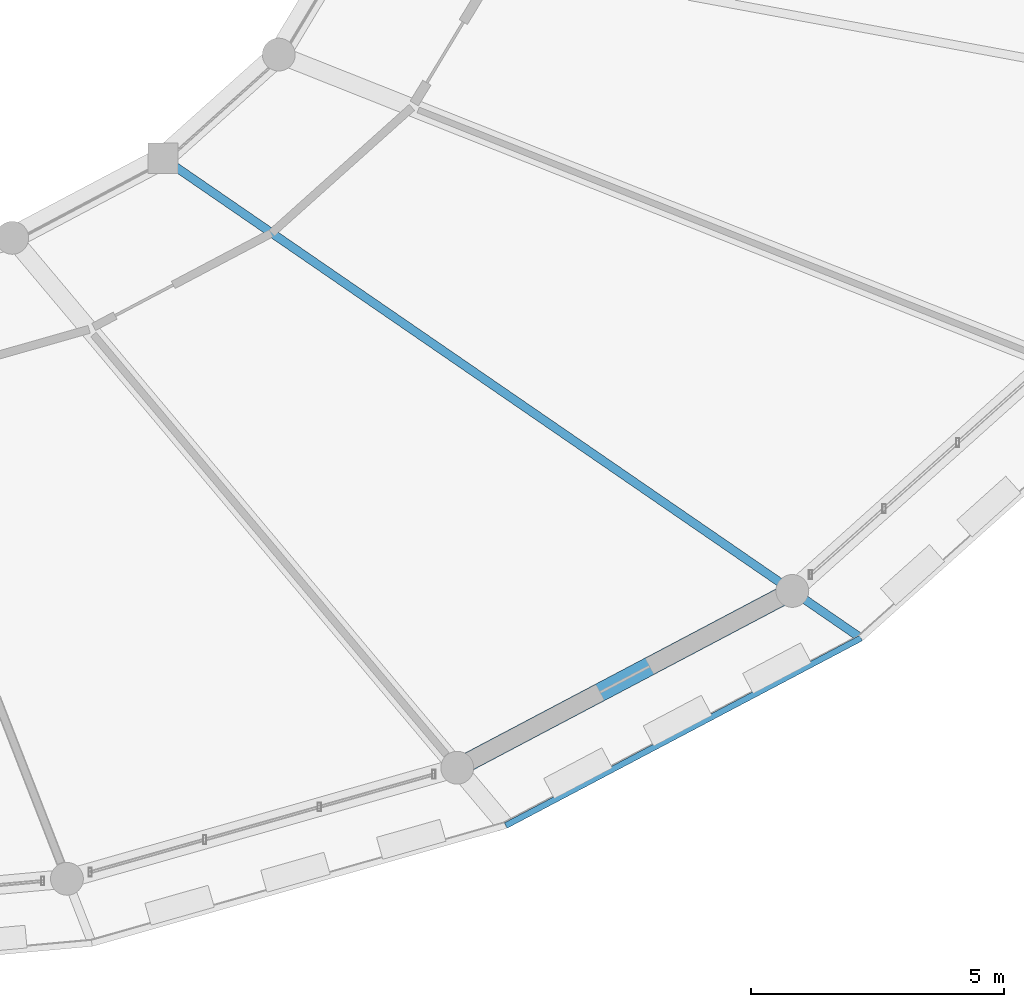
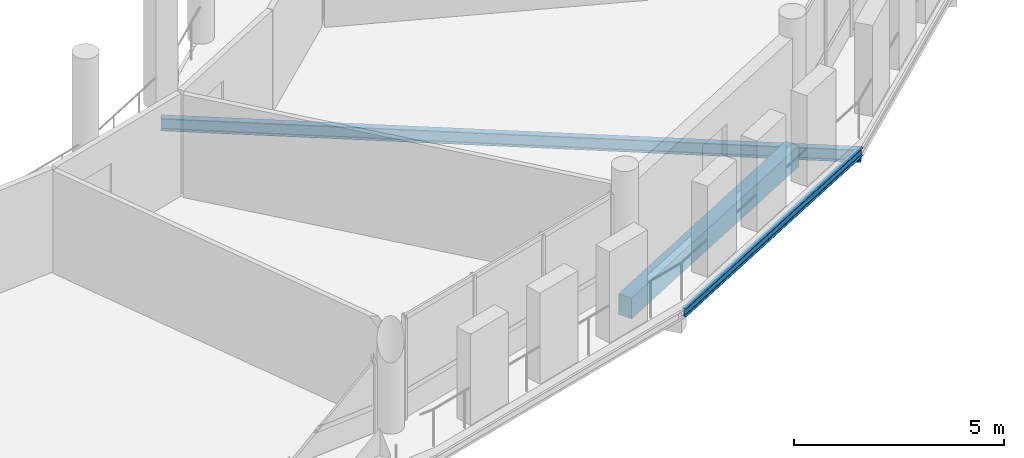
# One storey, part 30 of 93: 3 beams.
"""IFC4 building model written with IfcOpenShell, lengths in metres."""

from ifc_helpers import new_model, si_unit, direction, frame, origin, origin_2d, place, context, subcontext, project, spatial, rectangle, i_section, extrude, material, material_profile, profile_set, type_object, element, save


model = new_model("IFC4")

# Units and contexts
model_context = context("Model", 3, precision=1e-05, world=origin(), true_north=direction((0.0, 1.0)))
body_context = subcontext(model_context, "Body", "Model", "MODEL_VIEW")
ifc_project = project(units=[si_unit("LENGTHUNIT", "METRE"), si_unit("AREAUNIT", "SQUARE_METRE"), si_unit("VOLUMEUNIT", "CUBIC_METRE"), si_unit("PLANEANGLEUNIT", "RADIAN"), si_unit("MASSUNIT", "GRAM", prefix="KILO")], contexts=[model_context])

# Site, building, storey
site_placement = place(None, origin())
site = spatial("IfcSite", under=ifc_project, at=site_placement, CompositionType="ELEMENT")
building_placement = place(site_placement, origin())
building = spatial("IfcBuilding", under=site, at=building_placement, Name="Zornivar Specialist Clinic", CompositionType="ELEMENT")
storey_placement = place(building_placement, frame((0.0, 0.0, 8.39990234375)))
storey = spatial("IfcBuildingStorey", under=building, at=storey_placement, Name="L02", CompositionType="ELEMENT", Elevation=8.39990234375)

# Beams
ifc_material_1 = material(Name="Concrete C30/37", Category="concrete")
ifc_material_profile_1 = material_profile(ifc_material_1, rectangle(XDim=0.3701171875, YDim=0.60009765625, at=origin_2d()), Name="RC 370x600")
ifc_profile_set_1 = profile_set([ifc_material_profile_1], Name="Concrete C30/37")
beam_type_1 = type_object("IfcBeamType", Name="BM-RC-SPANDREL-370x600", PredefinedType="SPANDREL", material=ifc_profile_set_1)
beam_1_placement = place(storey_placement, frame((109.60009765625, 38.547119140625, -0.539794921875), z_axis=(0.884425099405, 0.466682165443, 0.0), x_axis=(-0.466682165443, 0.884425099405, 0.0)))
element("IfcBeam", 1, at=beam_1_placement, inside=storey, type_object=beam_type_1, Name="bm:V1:L02:outring:20", PredefinedType="SPANDREL", context=body_context, shape_type="SweptSolid", body=[
    extrude(rectangle(XDim=0.3701171875, YDim=0.60009765625, at=origin_2d()), origin(), (0.0, 0.0, 1.0), 7.492919921875),
])
ifc_material_2 = material(Name="Steel S355J2", Category="steel")
ifc_material_profile_2 = material_profile(ifc_material_2, i_section(OverallWidth=0.1201171875, OverallDepth=0.239990234375, WebThickness=0.006103515625, FlangeThickness=0.009765625, FilletRadius=0.014892578125, at=origin_2d()), Name="IPE 240")
ifc_profile_set_2 = profile_set([ifc_material_profile_2], Name="Steel S355J2")
beam_type_2 = type_object("IfcBeamType", Name="BM-STL-IPE240", PredefinedType="JOIST", material=ifc_profile_set_2)
beam_2_placement = place(storey_placement, frame((110.56005859375, 37.404052734375, -0.35986328125), z_axis=(0.88446439618, 0.466607685202, 0.0), x_axis=(-0.466607685202, 0.88446439618, 0.0)))
element("IfcBeam", 2, at=beam_2_placement, inside=storey, type_object=beam_type_2, Name="bm:V1:L02:balring:20", PredefinedType="JOIST", context=body_context, shape_type="SweptSolid", body=[
    extrude(i_section(OverallWidth=0.1201171875, OverallDepth=0.239990234375, WebThickness=0.006103515625, FlangeThickness=0.009765625, FilletRadius=0.014892578125, at=origin_2d()), origin(), (0.0, 0.0, 1.0), 7.942626953125),
])
ifc_material_3 = material(Name="Steel S355J2", Category="steel")
ifc_material_profile_3 = material_profile(ifc_material_3, i_section(OverallWidth=0.169921875, OverallDepth=0.360107421875, WebThickness=0.008056640625, FlangeThickness=0.0126953125, FilletRadius=0.01806640625, at=origin_2d()), Name="IPE 360")
ifc_profile_set_3 = profile_set([ifc_material_profile_3], Name="Steel S355J2")
beam_type_3 = type_object("IfcBeamType", Name="BM-STL-IPE360", PredefinedType="BEAM", material=ifc_profile_set_3)
beam_3_placement = place(storey_placement, frame((103.781982421875, 50.60009765625, -0.469970703125), z_axis=(0.82402959127, -0.566546761276, 0.0), x_axis=(0.566546761276, 0.82402959127, 0.0)))
element("IfcBeam", 3, at=beam_3_placement, inside=storey, type_object=beam_type_3, Name="bm:V1:L02:radmid:21", PredefinedType="BEAM", context=body_context, shape_type="SweptSolid", body=[
    extrude(i_section(OverallWidth=0.169921875, OverallDepth=0.360107421875, WebThickness=0.008056640625, FlangeThickness=0.0126953125, FilletRadius=0.01806640625, at=origin_2d()), origin(), (0.0, 0.0, 1.0), 16.75048828125),
])

save(model, "model.ifc")
